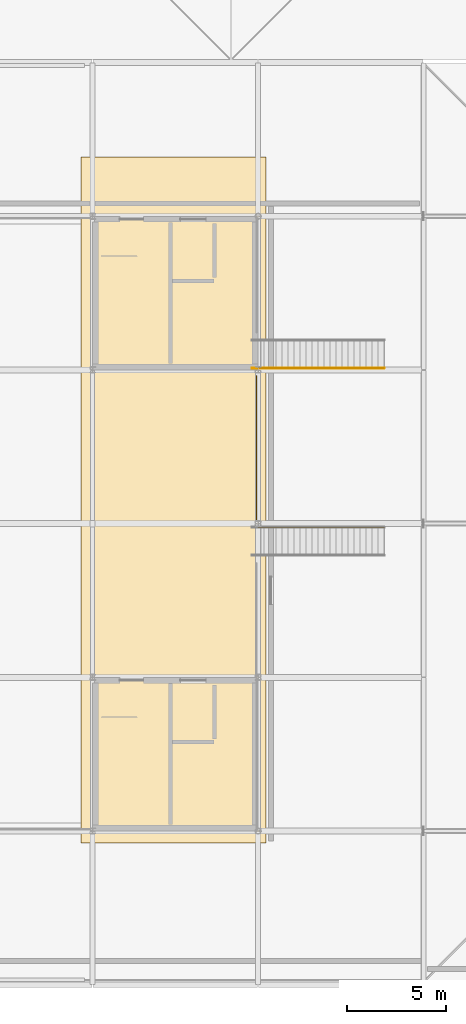
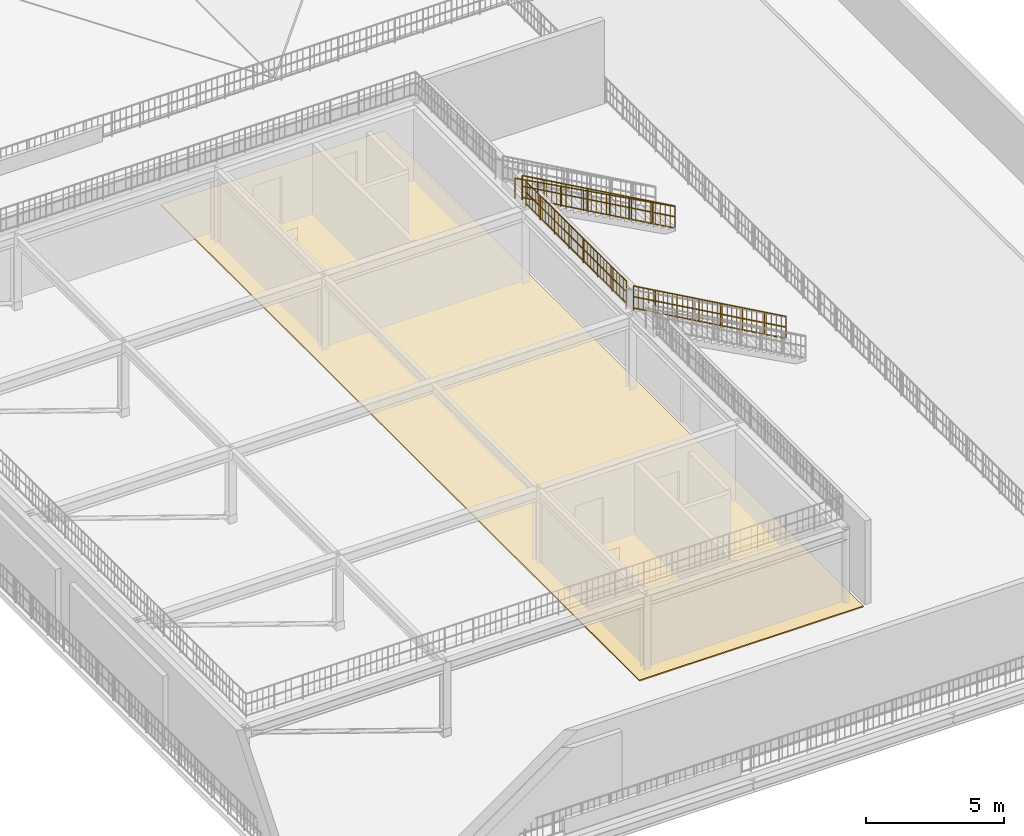
# One storey, part 13 of 16: 4 railings, 1 covering.
"""IFC4 building model written with IfcOpenShell, lengths in metres."""

from ifc_helpers import new_model, si_unit, direction, frame, origin, origin_2d, place, context, subcontext, project, spatial, polyline, circle, outline, extrude, material, layer, layer_set, type_object, element, save


model = new_model("IFC4")

# Units and contexts
model_context = context("Model", 3, precision=1e-05, world=origin(), true_north=direction((0.0, 1.0)))
body_context = subcontext(model_context, "Body", "Model", "MODEL_VIEW")
ifc_project = project(units=[si_unit("LENGTHUNIT", "METRE"), si_unit("AREAUNIT", "SQUARE_METRE"), si_unit("VOLUMEUNIT", "CUBIC_METRE"), si_unit("PLANEANGLEUNIT", "RADIAN"), si_unit("MASSUNIT", "GRAM", prefix="KILO")], contexts=[model_context])

# Site, building, storey
site_placement = place(None, origin())
site = spatial("IfcSite", under=ifc_project, at=site_placement, CompositionType="ELEMENT")
building_placement = place(site_placement, origin())
building = spatial("IfcBuilding", under=site, at=building_placement, Name="Nabrawat Pavilion Hospital", CompositionType="ELEMENT")
storey_placement = place(building_placement, frame((0.0, 0.0, 35.10009765625)))
storey = spatial("IfcBuildingStorey", under=building, at=storey_placement, Name="Roof", CompositionType="ELEMENT", Elevation=35.10009765625)

# Railings
ifc_material_1 = material(Name="Stainless Steel 316", Category="steel")
ifc_layer_1 = layer(ifc_material_1, 0.070068359375, Name="Stainless Steel 316")
ifc_layer_set_1 = layer_set([ifc_layer_1], Name="Stainless Steel 316")
railing_type_1 = type_object("IfcRailingType", Name="Exterior Clinical Terrace Safety Guardrail 1100", PredefinedType="GUARDRAIL", material=ifc_layer_set_1)
railing_1_placement = place(storey_placement, frame((176.320068359375, 62.60009765625, 3.599853515625)))
element("IfcRailing", 1, at=railing_1_placement, inside=storey, type_object=railing_type_1, Name="Rooftop Helipad Deck Safety Perimeter Guardrail East-M", PredefinedType="GUARDRAIL", context=body_context, shape_type="SweptSolid", body=[
    extrude(circle(Radius=0.02392578125, at=origin_2d()), frame((0.0, 0.0, 1.076171875), z_axis=(0.0, 1.0, 0.0), x_axis=(-1.0, 0.0, 0.0)), (0.0, 0.0, 1.0), 7.2998046875),
    extrude(circle(Radius=0.02392578125, at=origin_2d()), frame((0.0, 0.0, 0.10009765625), z_axis=(0.0, 1.0, 0.0), x_axis=(-1.0, 0.0, 0.0)), (0.0, 0.0, 1.0), 7.2998046875),
    extrude(circle(Radius=0.02392578125, at=origin_2d()), frame((0.0, 0.0, 0.60498046875), z_axis=(0.0, 1.0, 0.0), x_axis=(-1.0, 0.0, 0.0)), (0.0, 0.0, 1.0), 7.2998046875),
    extrude(circle(Radius=0.008056640625, at=origin_2d()), frame((0.0, 0.235595703125, 0.10009765625)), (0.0, 0.0, 1.0), 0.951904296875),
    extrude(circle(Radius=0.008056640625, at=origin_2d()), frame((0.0, 0.470947265625, 0.10009765625)), (0.0, 0.0, 1.0), 0.951904296875),
    extrude(circle(Radius=0.008056640625, at=origin_2d()), frame((0.0, 0.70654296875, 0.10009765625)), (0.0, 0.0, 1.0), 0.951904296875),
    extrude(circle(Radius=0.008056640625, at=origin_2d()), frame((0.0, 0.94189453125, 0.10009765625)), (0.0, 0.0, 1.0), 0.951904296875),
    extrude(circle(Radius=0.008056640625, at=origin_2d()), frame((0.0, 1.177490234375, 0.10009765625)), (0.0, 0.0, 1.0), 0.951904296875),
    extrude(circle(Radius=0.008056640625, at=origin_2d()), frame((0.0, 1.412841796875, 0.10009765625)), (0.0, 0.0, 1.0), 0.951904296875),
    extrude(circle(Radius=0.008056640625, at=origin_2d()), frame((0.0, 1.6484375, 0.10009765625)), (0.0, 0.0, 1.0), 0.951904296875),
    extrude(circle(Radius=0.008056640625, at=origin_2d()), frame((0.0, 1.8837890625, 0.10009765625)), (0.0, 0.0, 1.0), 0.951904296875),
    extrude(circle(Radius=0.008056640625, at=origin_2d()), frame((0.0, 2.354736328125, 0.10009765625)), (0.0, 0.0, 1.0), 0.951904296875),
    extrude(circle(Radius=0.008056640625, at=origin_2d()), frame((0.0, 2.59033203125, 0.10009765625)), (0.0, 0.0, 1.0), 0.951904296875),
    extrude(circle(Radius=0.008056640625, at=origin_2d()), frame((0.0, 2.82568359375, 0.10009765625)), (0.0, 0.0, 1.0), 0.951904296875),
    extrude(circle(Radius=0.008056640625, at=origin_2d()), frame((0.0, 3.061279296875, 0.10009765625)), (0.0, 0.0, 1.0), 0.951904296875),
    extrude(circle(Radius=0.008056640625, at=origin_2d()), frame((0.0, 3.296630859375, 0.10009765625)), (0.0, 0.0, 1.0), 0.951904296875),
    extrude(circle(Radius=0.008056640625, at=origin_2d()), frame((0.0, 3.5322265625, 0.10009765625)), (0.0, 0.0, 1.0), 0.951904296875),
    extrude(circle(Radius=0.008056640625, at=origin_2d()), frame((0.0, 3.767578125, 0.10009765625)), (0.0, 0.0, 1.0), 0.951904296875),
    extrude(circle(Radius=0.008056640625, at=origin_2d()), frame((0.0, 4.003173828125, 0.10009765625)), (0.0, 0.0, 1.0), 0.951904296875),
    extrude(circle(Radius=0.008056640625, at=origin_2d()), frame((0.0, 4.238525390625, 0.10009765625)), (0.0, 0.0, 1.0), 0.951904296875),
    extrude(circle(Radius=0.008056640625, at=origin_2d()), frame((0.0, 4.47412109375, 0.10009765625)), (0.0, 0.0, 1.0), 0.951904296875),
    extrude(circle(Radius=0.008056640625, at=origin_2d()), frame((0.0, 4.70947265625, 0.10009765625)), (0.0, 0.0, 1.0), 0.951904296875),
    extrude(circle(Radius=0.008056640625, at=origin_2d()), frame((0.0, 4.945068359375, 0.10009765625)), (0.0, 0.0, 1.0), 0.951904296875),
    extrude(circle(Radius=0.008056640625, at=origin_2d()), frame((0.0, 5.416015625, 0.10009765625)), (0.0, 0.0, 1.0), 0.951904296875),
    extrude(circle(Radius=0.008056640625, at=origin_2d()), frame((0.0, 5.6513671875, 0.10009765625)), (0.0, 0.0, 1.0), 0.951904296875),
    extrude(circle(Radius=0.008056640625, at=origin_2d()), frame((0.0, 5.886962890625, 0.10009765625)), (0.0, 0.0, 1.0), 0.951904296875),
    extrude(circle(Radius=0.008056640625, at=origin_2d()), frame((0.0, 6.122314453125, 0.10009765625)), (0.0, 0.0, 1.0), 0.951904296875),
    extrude(circle(Radius=0.008056640625, at=origin_2d()), frame((0.0, 6.35791015625, 0.10009765625)), (0.0, 0.0, 1.0), 0.951904296875),
    extrude(circle(Radius=0.008056640625, at=origin_2d()), frame((0.0, 6.59326171875, 0.10009765625)), (0.0, 0.0, 1.0), 0.951904296875),
    extrude(circle(Radius=0.008056640625, at=origin_2d()), frame((0.0, 6.828857421875, 0.10009765625)), (0.0, 0.0, 1.0), 0.951904296875),
    extrude(circle(Radius=0.008056640625, at=origin_2d()), frame((0.0, 7.064208984375, 0.10009765625)), (0.0, 0.0, 1.0), 0.951904296875),
    extrude(circle(Radius=0.02099609375, at=origin_2d()), origin(), (0.0, 0.0, 1.0), 1.052001953125),
    extrude(circle(Radius=0.02099609375, at=origin_2d()), frame((0.0, 1.042724609375, 0.0)), (0.0, 0.0, 1.0), 1.052001953125),
    extrude(circle(Radius=0.02099609375, at=origin_2d()), frame((0.0, 2.085693359375, 0.0)), (0.0, 0.0, 1.0), 1.052001953125),
    extrude(circle(Radius=0.02099609375, at=origin_2d()), frame((0.0, 3.12841796875, 0.0)), (0.0, 0.0, 1.0), 1.052001953125),
    extrude(circle(Radius=0.02099609375, at=origin_2d()), frame((0.0, 4.17138671875, 0.0)), (0.0, 0.0, 1.0), 1.052001953125),
    extrude(circle(Radius=0.02099609375, at=origin_2d()), frame((0.0, 5.214111328125, 0.0)), (0.0, 0.0, 1.0), 1.052001953125),
    extrude(circle(Radius=0.02099609375, at=origin_2d()), frame((0.0, 6.257080078125, 0.0)), (0.0, 0.0, 1.0), 1.052001953125),
    extrude(circle(Radius=0.02099609375, at=origin_2d()), frame((0.0, 7.2998046875, 0.0)), (0.0, 0.0, 1.0), 1.052001953125),
])
ifc_layer_2 = layer(ifc_material_1, 0.050048828125, Name="Stainless Steel 316")
ifc_layer_set_2 = layer_set([ifc_layer_2], Name="Stainless Steel 316")
railing_type_2 = type_object("IfcRailingType", Name="Stair Open-Well Safety Guardrail 1100", PredefinedType="GUARDRAIL", material=ifc_layer_set_2)
railing_2_placement = place(storey_placement, frame((182.800048828125, 62.2099609375, 0.0)))
element("IfcRailing", 2, at=railing_2_placement, inside=storey, type_object=railing_type_2, Name="Roof Helipad Primary South Access Stair Open-Edge Guardrail R", PredefinedType="GUARDRAIL", context=body_context, shape_type="SweptSolid", body=[
    extrude(circle(Radius=0.02392578125, at=origin_2d()), frame((0.0, 0.0, 1.076171875), z_axis=(-0.871748527163, 0.0, 0.489953574729), x_axis=(0.0, -1.0, 0.0)), (0.0, 0.0, 1.0), 7.347412109375),
    extrude(circle(Radius=0.02392578125, at=origin_2d()), frame((0.0, 0.0, 0.10009765625), z_axis=(-0.871748527163, 0.0, 0.489953574729), x_axis=(0.0, -1.0, 0.0)), (0.0, 0.0, 1.0), 7.347412109375),
    extrude(circle(Radius=0.02392578125, at=origin_2d()), frame((0.0, 0.0, 0.60498046875), z_axis=(-0.871748527163, 0.0, 0.489953574729), x_axis=(0.0, -1.0, 0.0)), (0.0, 0.0, 1.0), 7.347412109375),
    extrude(circle(Radius=0.008056640625, at=origin_2d()), frame((-0.20654296875, 0.0, 0.216064453125)), (0.0, 0.0, 1.0), 0.951904296875),
    extrude(circle(Radius=0.008056640625, at=origin_2d()), frame((-0.413330078125, 0.0, 0.332275390625)), (0.0, 0.0, 1.0), 0.951904296875),
    extrude(circle(Radius=0.008056640625, at=origin_2d()), frame((-0.619873046875, 0.0, 0.448486328125)), (0.0, 0.0, 1.0), 0.951904296875),
    extrude(circle(Radius=0.008056640625, at=origin_2d()), frame((-0.826416015625, 0.0, 0.564453125)), (0.0, 0.0, 1.0), 0.951904296875),
    extrude(circle(Radius=0.008056640625, at=origin_2d()), frame((-1.032958984375, 0.0, 0.6806640625)), (0.0, 0.0, 1.0), 0.951904296875),
    extrude(circle(Radius=0.008056640625, at=origin_2d()), frame((-1.23974609375, 0.0, 0.796630859375)), (0.0, 0.0, 1.0), 0.951904296875),
    extrude(circle(Radius=0.008056640625, at=origin_2d()), frame((-1.4462890625, 0.0, 0.912841796875)), (0.0, 0.0, 1.0), 0.951904296875),
    extrude(circle(Radius=0.008056640625, at=origin_2d()), frame((-1.65283203125, 0.0, 1.029052734375)), (0.0, 0.0, 1.0), 0.951904296875),
    extrude(circle(Radius=0.008056640625, at=origin_2d()), frame((-2.066162109375, 0.0, 1.26123046875)), (0.0, 0.0, 1.0), 0.951904296875),
    extrude(circle(Radius=0.008056640625, at=origin_2d()), frame((-2.272705078125, 0.0, 1.37744140625)), (0.0, 0.0, 1.0), 0.951904296875),
    extrude(circle(Radius=0.008056640625, at=origin_2d()), frame((-2.479248046875, 0.0, 1.493408203125)), (0.0, 0.0, 1.0), 0.951904296875),
    extrude(circle(Radius=0.008056640625, at=origin_2d()), frame((-2.68603515625, 0.0, 1.609619140625)), (0.0, 0.0, 1.0), 0.951904296875),
    extrude(circle(Radius=0.008056640625, at=origin_2d()), frame((-2.892578125, 0.0, 1.725830078125)), (0.0, 0.0, 1.0), 0.951904296875),
    extrude(circle(Radius=0.008056640625, at=origin_2d()), frame((-3.09912109375, 0.0, 1.841796875)), (0.0, 0.0, 1.0), 0.951904296875),
    extrude(circle(Radius=0.008056640625, at=origin_2d()), frame((-3.305908203125, 0.0, 1.9580078125)), (0.0, 0.0, 1.0), 0.951904296875),
    extrude(circle(Radius=0.008056640625, at=origin_2d()), frame((-3.512451171875, 0.0, 2.07421875)), (0.0, 0.0, 1.0), 0.951904296875),
    extrude(circle(Radius=0.008056640625, at=origin_2d()), frame((-3.718994140625, 0.0, 2.190185546875)), (0.0, 0.0, 1.0), 0.951904296875),
    extrude(circle(Radius=0.008056640625, at=origin_2d()), frame((-3.92578125, 0.0, 2.306396484375)), (0.0, 0.0, 1.0), 0.951904296875),
    extrude(circle(Radius=0.008056640625, at=origin_2d()), frame((-4.13232421875, 0.0, 2.422607421875)), (0.0, 0.0, 1.0), 0.951904296875),
    extrude(circle(Radius=0.008056640625, at=origin_2d()), frame((-4.3388671875, 0.0, 2.53857421875)), (0.0, 0.0, 1.0), 0.951904296875),
    extrude(circle(Radius=0.008056640625, at=origin_2d()), frame((-4.752197265625, 0.0, 2.770751953125)), (0.0, 0.0, 1.0), 0.951904296875),
    extrude(circle(Radius=0.008056640625, at=origin_2d()), frame((-4.958740234375, 0.0, 2.886962890625)), (0.0, 0.0, 1.0), 0.951904296875),
    extrude(circle(Radius=0.008056640625, at=origin_2d()), frame((-5.165283203125, 0.0, 3.003173828125)), (0.0, 0.0, 1.0), 0.951904296875),
    extrude(circle(Radius=0.008056640625, at=origin_2d()), frame((-5.3720703125, 0.0, 3.119140625)), (0.0, 0.0, 1.0), 0.951904296875),
    extrude(circle(Radius=0.008056640625, at=origin_2d()), frame((-5.57861328125, 0.0, 3.2353515625)), (0.0, 0.0, 1.0), 0.951904296875),
    extrude(circle(Radius=0.008056640625, at=origin_2d()), frame((-5.78515625, 0.0, 3.3515625)), (0.0, 0.0, 1.0), 0.951904296875),
    extrude(circle(Radius=0.008056640625, at=origin_2d()), frame((-5.99169921875, 0.0, 3.467529296875)), (0.0, 0.0, 1.0), 0.951904296875),
    extrude(circle(Radius=0.008056640625, at=origin_2d()), frame((-6.198486328125, 0.0, 3.583740234375)), (0.0, 0.0, 1.0), 0.951904296875),
    extrude(circle(Radius=0.02099609375, at=origin_2d()), origin(), (0.0, 0.0, 1.0), 1.052001953125),
    extrude(circle(Radius=0.02099609375, at=origin_2d()), frame((-0.9150390625, 0.0, 0.51416015625)), (0.0, 0.0, 1.0), 1.052001953125),
    extrude(circle(Radius=0.02099609375, at=origin_2d()), frame((-1.830078125, 0.0, 1.028564453125)), (0.0, 0.0, 1.0), 1.052001953125),
    extrude(circle(Radius=0.02099609375, at=origin_2d()), frame((-2.7451171875, 0.0, 1.542724609375)), (0.0, 0.0, 1.0), 1.052001953125),
    extrude(circle(Radius=0.02099609375, at=origin_2d()), frame((-3.659912109375, 0.0, 2.05712890625)), (0.0, 0.0, 1.0), 1.052001953125),
    extrude(circle(Radius=0.02099609375, at=origin_2d()), frame((-4.574951171875, 0.0, 2.5712890625)), (0.0, 0.0, 1.0), 1.052001953125),
    extrude(circle(Radius=0.02099609375, at=origin_2d()), frame((-5.489990234375, 0.0, 3.085693359375)), (0.0, 0.0, 1.0), 1.052001953125),
    extrude(circle(Radius=0.02099609375, at=origin_2d()), frame((-6.405029296875, 0.0, 3.599853515625)), (0.0, 0.0, 1.0), 1.052001953125),
])
railing_3_placement = place(storey_placement, frame((182.800048828125, 70.2900390625, 0.0)))
element("IfcRailing", 3, at=railing_3_placement, inside=storey, type_object=railing_type_2, Name="Roof Helipad Secondary North Escape Stair Open-Edge Guardrail L", PredefinedType="GUARDRAIL", context=body_context, shape_type="SweptSolid", body=[
    extrude(circle(Radius=0.02392578125, at=origin_2d()), frame((0.0, 0.0, 1.076171875), z_axis=(-0.871748527163, 0.0, 0.489953574729), x_axis=(0.0, -1.0, 0.0)), (0.0, 0.0, 1.0), 7.347412109375),
    extrude(circle(Radius=0.02392578125, at=origin_2d()), frame((0.0, 0.0, 0.10009765625), z_axis=(-0.871748527163, 0.0, 0.489953574729), x_axis=(0.0, -1.0, 0.0)), (0.0, 0.0, 1.0), 7.347412109375),
    extrude(circle(Radius=0.02392578125, at=origin_2d()), frame((0.0, 0.0, 0.60498046875), z_axis=(-0.871748527163, 0.0, 0.489953574729), x_axis=(0.0, -1.0, 0.0)), (0.0, 0.0, 1.0), 7.347412109375),
    extrude(circle(Radius=0.008056640625, at=origin_2d()), frame((-0.20654296875, 0.0, 0.216064453125)), (0.0, 0.0, 1.0), 0.951904296875),
    extrude(circle(Radius=0.008056640625, at=origin_2d()), frame((-0.413330078125, 0.0, 0.332275390625)), (0.0, 0.0, 1.0), 0.951904296875),
    extrude(circle(Radius=0.008056640625, at=origin_2d()), frame((-0.619873046875, 0.0, 0.448486328125)), (0.0, 0.0, 1.0), 0.951904296875),
    extrude(circle(Radius=0.008056640625, at=origin_2d()), frame((-0.826416015625, 0.0, 0.564453125)), (0.0, 0.0, 1.0), 0.951904296875),
    extrude(circle(Radius=0.008056640625, at=origin_2d()), frame((-1.032958984375, 0.0, 0.6806640625)), (0.0, 0.0, 1.0), 0.951904296875),
    extrude(circle(Radius=0.008056640625, at=origin_2d()), frame((-1.23974609375, 0.0, 0.796630859375)), (0.0, 0.0, 1.0), 0.951904296875),
    extrude(circle(Radius=0.008056640625, at=origin_2d()), frame((-1.4462890625, 0.0, 0.912841796875)), (0.0, 0.0, 1.0), 0.951904296875),
    extrude(circle(Radius=0.008056640625, at=origin_2d()), frame((-1.65283203125, 0.0, 1.029052734375)), (0.0, 0.0, 1.0), 0.951904296875),
    extrude(circle(Radius=0.008056640625, at=origin_2d()), frame((-2.066162109375, 0.0, 1.26123046875)), (0.0, 0.0, 1.0), 0.951904296875),
    extrude(circle(Radius=0.008056640625, at=origin_2d()), frame((-2.272705078125, 0.0, 1.37744140625)), (0.0, 0.0, 1.0), 0.951904296875),
    extrude(circle(Radius=0.008056640625, at=origin_2d()), frame((-2.479248046875, 0.0, 1.493408203125)), (0.0, 0.0, 1.0), 0.951904296875),
    extrude(circle(Radius=0.008056640625, at=origin_2d()), frame((-2.68603515625, 0.0, 1.609619140625)), (0.0, 0.0, 1.0), 0.951904296875),
    extrude(circle(Radius=0.008056640625, at=origin_2d()), frame((-2.892578125, 0.0, 1.725830078125)), (0.0, 0.0, 1.0), 0.951904296875),
    extrude(circle(Radius=0.008056640625, at=origin_2d()), frame((-3.09912109375, 0.0, 1.841796875)), (0.0, 0.0, 1.0), 0.951904296875),
    extrude(circle(Radius=0.008056640625, at=origin_2d()), frame((-3.305908203125, 0.0, 1.9580078125)), (0.0, 0.0, 1.0), 0.951904296875),
    extrude(circle(Radius=0.008056640625, at=origin_2d()), frame((-3.512451171875, 0.0, 2.07421875)), (0.0, 0.0, 1.0), 0.951904296875),
    extrude(circle(Radius=0.008056640625, at=origin_2d()), frame((-3.718994140625, 0.0, 2.190185546875)), (0.0, 0.0, 1.0), 0.951904296875),
    extrude(circle(Radius=0.008056640625, at=origin_2d()), frame((-3.92578125, 0.0, 2.306396484375)), (0.0, 0.0, 1.0), 0.951904296875),
    extrude(circle(Radius=0.008056640625, at=origin_2d()), frame((-4.13232421875, 0.0, 2.422607421875)), (0.0, 0.0, 1.0), 0.951904296875),
    extrude(circle(Radius=0.008056640625, at=origin_2d()), frame((-4.3388671875, 0.0, 2.53857421875)), (0.0, 0.0, 1.0), 0.951904296875),
    extrude(circle(Radius=0.008056640625, at=origin_2d()), frame((-4.752197265625, 0.0, 2.770751953125)), (0.0, 0.0, 1.0), 0.951904296875),
    extrude(circle(Radius=0.008056640625, at=origin_2d()), frame((-4.958740234375, 0.0, 2.886962890625)), (0.0, 0.0, 1.0), 0.951904296875),
    extrude(circle(Radius=0.008056640625, at=origin_2d()), frame((-5.165283203125, 0.0, 3.003173828125)), (0.0, 0.0, 1.0), 0.951904296875),
    extrude(circle(Radius=0.008056640625, at=origin_2d()), frame((-5.3720703125, 0.0, 3.119140625)), (0.0, 0.0, 1.0), 0.951904296875),
    extrude(circle(Radius=0.008056640625, at=origin_2d()), frame((-5.57861328125, 0.0, 3.2353515625)), (0.0, 0.0, 1.0), 0.951904296875),
    extrude(circle(Radius=0.008056640625, at=origin_2d()), frame((-5.78515625, 0.0, 3.3515625)), (0.0, 0.0, 1.0), 0.951904296875),
    extrude(circle(Radius=0.008056640625, at=origin_2d()), frame((-5.99169921875, 0.0, 3.467529296875)), (0.0, 0.0, 1.0), 0.951904296875),
    extrude(circle(Radius=0.008056640625, at=origin_2d()), frame((-6.198486328125, 0.0, 3.583740234375)), (0.0, 0.0, 1.0), 0.951904296875),
    extrude(circle(Radius=0.02099609375, at=origin_2d()), origin(), (0.0, 0.0, 1.0), 1.052001953125),
    extrude(circle(Radius=0.02099609375, at=origin_2d()), frame((-0.9150390625, 0.0, 0.51416015625)), (0.0, 0.0, 1.0), 1.052001953125),
    extrude(circle(Radius=0.02099609375, at=origin_2d()), frame((-1.830078125, 0.0, 1.028564453125)), (0.0, 0.0, 1.0), 1.052001953125),
    extrude(circle(Radius=0.02099609375, at=origin_2d()), frame((-2.7451171875, 0.0, 1.542724609375)), (0.0, 0.0, 1.0), 1.052001953125),
    extrude(circle(Radius=0.02099609375, at=origin_2d()), frame((-3.659912109375, 0.0, 2.05712890625)), (0.0, 0.0, 1.0), 1.052001953125),
    extrude(circle(Radius=0.02099609375, at=origin_2d()), frame((-4.574951171875, 0.0, 2.5712890625)), (0.0, 0.0, 1.0), 1.052001953125),
    extrude(circle(Radius=0.02099609375, at=origin_2d()), frame((-5.489990234375, 0.0, 3.085693359375)), (0.0, 0.0, 1.0), 1.052001953125),
    extrude(circle(Radius=0.02099609375, at=origin_2d()), frame((-6.405029296875, 0.0, 3.599853515625)), (0.0, 0.0, 1.0), 1.052001953125),
])
ifc_layer_3 = layer(ifc_material_1, 0.044921875, Name="Stainless Steel 316")
ifc_layer_set_3 = layer_set([ifc_layer_3], Name="Stainless Steel 316")
railing_type_3 = type_object("IfcRailingType", Name="Stair Pitch Continuous Handrail 920", PredefinedType="HANDRAIL", material=ifc_layer_set_3)
railing_4_placement = place(storey_placement, frame((182.800048828125, 70.2900390625, 0.16650390625)))
element("IfcRailing", 4, at=railing_4_placement, inside=storey, type_object=railing_type_3, Name="Roof Helipad Secondary North Escape Stair Handrail L", PredefinedType="HANDRAIL", context=body_context, shape_type="SweptSolid", body=[
    extrude(circle(Radius=0.02392578125, at=origin_2d()), frame((0.0, 0.0, 0.89599609375), z_axis=(-0.881193823646, 0.0, 0.472755164083), x_axis=(0.0, -1.0, 0.0)), (0.0, 0.0, 1.0), 7.61474609375),
    extrude(circle(Radius=0.02099609375, at=origin_2d()), origin(), (0.0, 0.0, 1.0), 0.871826171875),
    extrude(circle(Radius=0.02099609375, at=origin_2d()), frame((-0.95849609375, 0.0, 0.51416015625)), (0.0, 0.0, 1.0), 0.871826171875),
    extrude(circle(Radius=0.02099609375, at=origin_2d()), frame((-1.917236328125, 0.0, 1.028564453125)), (0.0, 0.0, 1.0), 0.871826171875),
    extrude(circle(Radius=0.02099609375, at=origin_2d()), frame((-2.875732421875, 0.0, 1.542724609375)), (0.0, 0.0, 1.0), 0.871826171875),
    extrude(circle(Radius=0.02099609375, at=origin_2d()), frame((-3.834228515625, 0.0, 2.05712890625)), (0.0, 0.0, 1.0), 0.871826171875),
    extrude(circle(Radius=0.02099609375, at=origin_2d()), frame((-4.792724609375, 0.0, 2.5712890625)), (0.0, 0.0, 1.0), 0.871826171875),
    extrude(circle(Radius=0.02099609375, at=origin_2d()), frame((-5.75146484375, 0.0, 3.085693359375)), (0.0, 0.0, 1.0), 0.871826171875),
    extrude(circle(Radius=0.02099609375, at=origin_2d()), frame((-6.7099609375, 0.0, 3.599853515625)), (0.0, 0.0, 1.0), 0.871826171875),
])

# Covering
ifc_material_2 = material(Name="Standing-Seam Anodised Aluminium", Category="aluminium")
ifc_layer_4 = layer(ifc_material_2, 0.050048828125, Name="Standing-Seam Anodised Aluminium")
ifc_layer_set_4 = layer_set([ifc_layer_4], Name="Standing-Seam Anodised Aluminium")
covering_type = type_object("IfcCoveringType", Name="Standing-Seam desert-tan Aluminium Roof Cladding", PredefinedType="ROOFING", material=ifc_layer_set_4)
covering_placement = place(storey_placement, origin())
element("IfcCovering", 5, at=covering_placement, inside=storey, type_object=covering_type, Name="Headhouse Transfer Deck Waterproofing", PredefinedType="ROOFING", context=body_context, shape_type="SweptSolid", body=[
    extrude(outline(polyline([(176.800048828125, 46.199951171875), (176.800048828125, 81.0), (167.39990234375, 81.0), (167.39990234375, 46.199951171875), (176.800048828125, 46.199951171875)])), origin(), (0.0, 0.0, 1.0), 0.0498046875),
])

save(model, "model.ifc")
